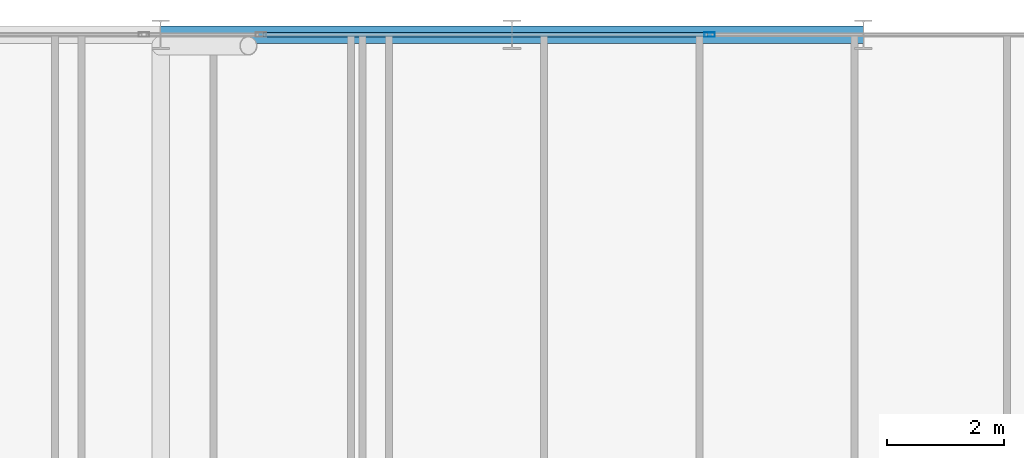
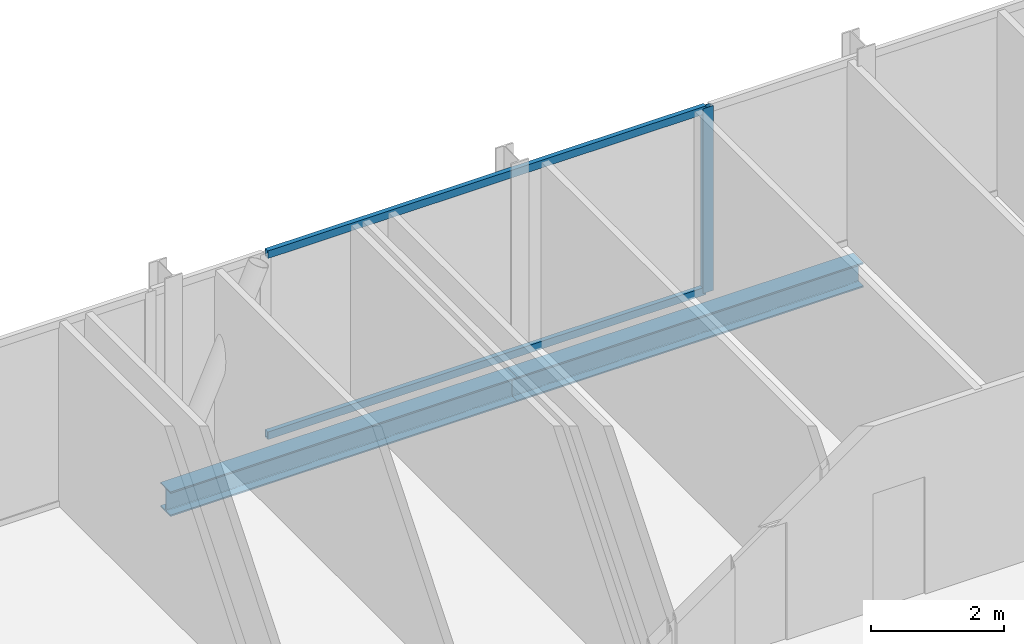
# One storey, part 20 of 32: 3 members, 2 beams, 1 element without a shape of its own.
"""IFC4 building model written with IfcOpenShell, lengths in metres."""

from ifc_helpers import new_model, si_unit, direction, frame, origin, origin_2d, place, context, subcontext, project, spatial, hollow_rectangle, i_section, extrude, material, layer, layer_set, material_profile, profile_set, type_object, element, aggregate, save


model = new_model("IFC4")

# Units and contexts
model_context = context("Model", 3, precision=1e-05, world=origin(), true_north=direction((0.0, 1.0)))
body_context = subcontext(model_context, "Body", "Model", "MODEL_VIEW")
ifc_project = project(units=[si_unit("LENGTHUNIT", "METRE"), si_unit("AREAUNIT", "SQUARE_METRE"), si_unit("VOLUMEUNIT", "CUBIC_METRE"), si_unit("PLANEANGLEUNIT", "RADIAN"), si_unit("MASSUNIT", "GRAM", prefix="KILO")], contexts=[model_context])

# Site, building, storey
site_placement = place(None, origin())
site = spatial("IfcSite", under=ifc_project, at=site_placement, CompositionType="ELEMENT")
building_placement = place(site_placement, origin())
building = spatial("IfcBuilding", under=site, at=building_placement, Name="Keshet Zoharim Tower", CompositionType="ELEMENT")
storey_placement = place(building_placement, frame((0.0, 0.0, 137.199951171875)))
storey = spatial("IfcBuildingStorey", under=building, at=storey_placement, Name="L33", CompositionType="ELEMENT", Elevation=137.199951171875)

# Beams
ifc_material_1 = material(Name="Steel S355", Category="steel")
ifc_material_profile_1 = material_profile(ifc_material_1, i_section(OverallWidth=0.300048828125, OverallDepth=0.449951171875, WebThickness=0.013916015625, FlangeThickness=0.02587890625, FilletRadius=0.027099609375, at=origin_2d()), Name="HEB450")
ifc_profile_set_1 = profile_set([ifc_material_profile_1], Name="Steel S355")
beam_type = type_object("IfcBeamType", Name="BM-WEB-HB450", PredefinedType="BEAM", material=ifc_profile_set_1)
for number, where, z_axis, x_axis, name in (
    (1, (33.0, 53.89990234375, -0.5400390625), (1.0, 0.0, 0.0), (0.0, 1.0, 0.0), "L33 Primary Girder X-022"),
    (2, (39.0, 53.89990234375, -0.5400390625), (1.0, 0.0, 0.0), (0.0, 1.0, 0.0), "L33 Primary Girder X-023"),
):
    element("IfcBeam", number, at=place(storey_placement, frame(where, z_axis=z_axis, x_axis=x_axis)), inside=storey, type_object=beam_type, Name=name, PredefinedType="BEAM", context=body_context, shape_type="SweptSolid", body=[
        extrude(i_section(OverallWidth=0.300048828125, OverallDepth=0.449951171875, WebThickness=0.013916015625, FlangeThickness=0.02587890625, FilletRadius=0.027099609375, at=origin_2d()), origin(), (0.0, 0.0, 1.0), 6.0),
    ])

# Curtain wall, members
ifc_material_2 = material(Name="Aluminium 6063-T6", Category="aluminium")
ifc_layer = layer(ifc_material_2, 0.159912109375)
ifc_layer_set = layer_set([ifc_layer], Name="Aluminium 6063-T6")
curtain_wall_type = type_object("IfcCurtainWallType", Name="CW-SYS-03", PredefinedType="NOTDEFINED", material=ifc_layer_set)
curtain_wall_placement = place(storey_placement, origin())
curtain_wall = element("IfcCurtainWall", 3, at=curtain_wall_placement, inside=storey, type_object=curtain_wall_type, Name="L33 Unitised Curtain Wall 13 Part 5", PredefinedType="NOTDEFINED")
ifc_material_profile_2 = material_profile(ifc_material_2, hollow_rectangle(XDim=0.080078125, YDim=0.179931640625, WallThickness=0.00439453125, at=origin_2d()), Name="MUL-80x180")
ifc_profile_set_2 = profile_set([ifc_material_profile_2], Name="Aluminium 6063-T6")
member_type_1 = type_object("IfcMemberType", Name="CWM-M18", PredefinedType="MULLION", material=ifc_profile_set_2)
member_1_placement = place(storey_placement, frame((42.3740234375, 53.89990234375, 0.0), z_axis=(0.0, 0.0, 1.0), x_axis=(0.0, 1.0, 0.0)))
member_1 = element("IfcMember", 4, at=member_1_placement, type_object=member_type_1, Name="CW-03 mullion 2", PredefinedType="MULLION", context=body_context, shape_type="SweptSolid", body=[
    extrude(hollow_rectangle(XDim=0.080078125, YDim=0.179931640625, WallThickness=0.00439453125, at=origin_2d()), origin(), (0.0, 0.0, 1.0), 3.385009765625),
])
ifc_material_profile_3 = material_profile(ifc_material_2, hollow_rectangle(XDim=0.080078125, YDim=0.139892578125, WallThickness=0.00390625, at=origin_2d()), Name="TRN-80x140")
ifc_profile_set_3 = profile_set([ifc_material_profile_3], Name="Aluminium 6063-T6")
member_type_2 = type_object("IfcMemberType", Name="CWT-T14", PredefinedType="USERDEFINED", material=ifc_profile_set_3)
member_2_placement = place(storey_placement, frame((34.748046875, 53.89990234375, 0.03515625), z_axis=(1.0, 0.0, 0.0), x_axis=(0.0, 1.0, 0.0)))
member_2 = element("IfcMember", 5, at=member_2_placement, type_object=member_type_2, Name="CW-03 transom 1.1", ObjectType="TRANSOM", PredefinedType="USERDEFINED", context=body_context, shape_type="SweptSolid", body=[
    extrude(hollow_rectangle(XDim=0.080078125, YDim=0.139892578125, WallThickness=0.00390625, at=origin_2d()), origin(), (0.0, 0.0, 1.0), 7.591064453125),
])
member_3_placement = place(storey_placement, frame((34.748046875, 53.89990234375, 3.35009765625), z_axis=(1.0, 0.0, 0.0), x_axis=(0.0, 1.0, 0.0)))
member_3 = element("IfcMember", 6, at=member_3_placement, type_object=member_type_2, Name="CW-03 transom 1.2", ObjectType="TRANSOM", PredefinedType="USERDEFINED", context=body_context, shape_type="SweptSolid", body=[
    extrude(hollow_rectangle(XDim=0.080078125, YDim=0.139892578125, WallThickness=0.00390625, at=origin_2d()), origin(), (0.0, 0.0, 1.0), 7.591064453125),
])
aggregate(curtain_wall, [member_1, member_2, member_3])

save(model, "model.ifc")
